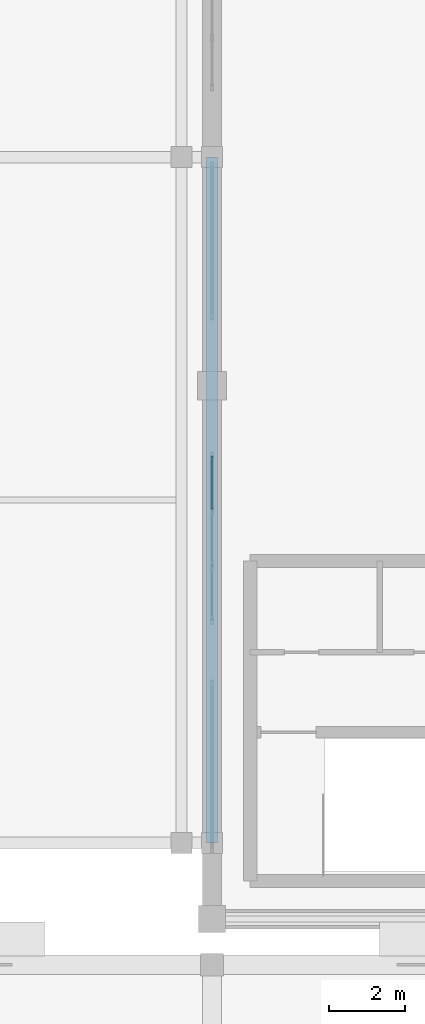
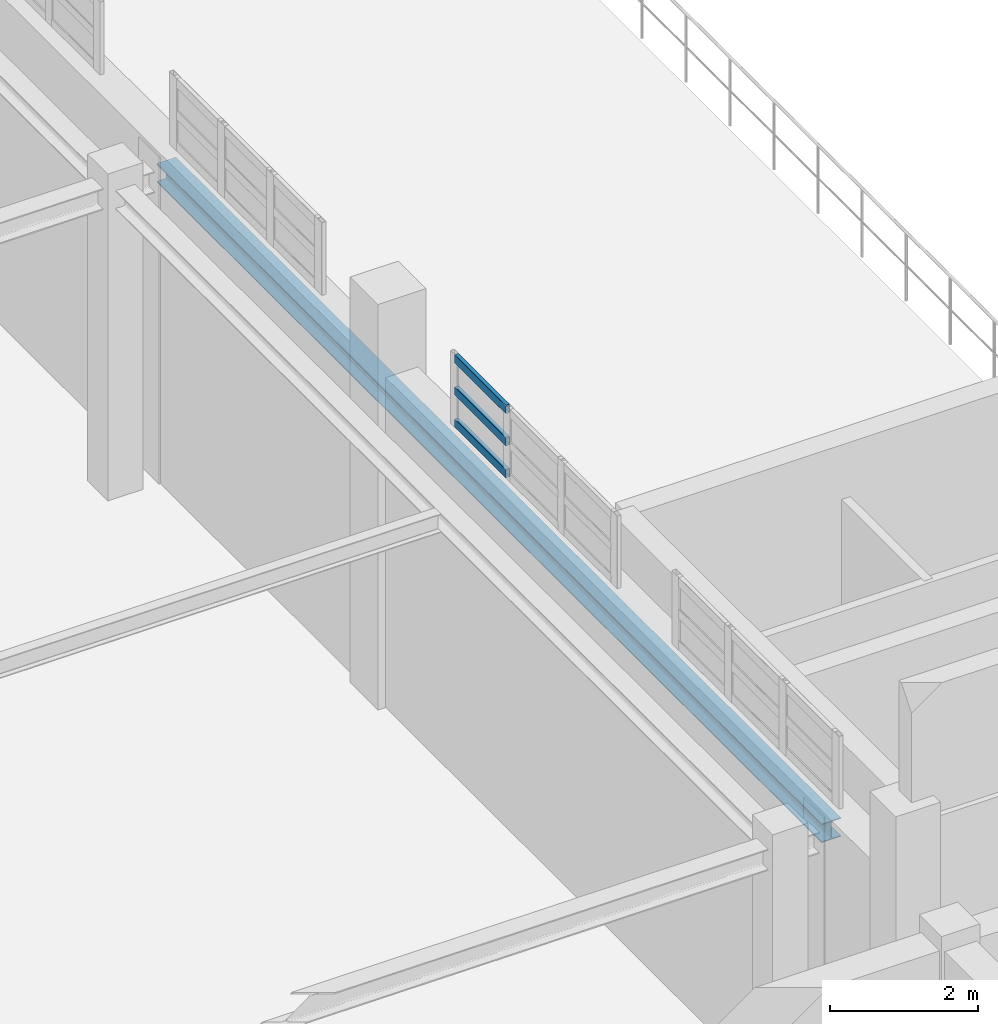
# One storey, part 98 of 197: 3 members, 1 beam, 1 element without a shape of its own.
"""IFC4 building model written with IfcOpenShell, lengths in metres."""

from ifc_helpers import new_model, si_unit, derived_unit, direction, frame, origin, origin_2d, place, context, subcontext, project, spatial, hollow_rectangle, i_section, extrude, material, layer, layer_set, material_profile, profile_set, type_object, element, aggregate, save


model = new_model("IFC4")

# Units and contexts
model_context = context("Model", 3, precision=1e-05, world=origin(), true_north=direction((0.0, 1.0)))
body_context = subcontext(model_context, "Body", "Model", "MODEL_VIEW")
ifc_project = project(units=[si_unit("LENGTHUNIT", "METRE"), si_unit("AREAUNIT", "SQUARE_METRE"), si_unit("VOLUMEUNIT", "CUBIC_METRE"), si_unit("PLANEANGLEUNIT", "RADIAN"), si_unit("MASSUNIT", "GRAM", prefix="KILO"), derived_unit("THERMALTRANSMITTANCEUNIT", [(si_unit("POWERUNIT", "WATT"), 1), (si_unit("LENGTHUNIT", "METRE"), -2), (si_unit("THERMODYNAMICTEMPERATUREUNIT", "KELVIN"), -1)])], contexts=[model_context])

# Site, building, storey
site_placement = place(None, origin())
site = spatial("IfcSite", under=ifc_project, at=site_placement, CompositionType="ELEMENT")
building_placement = place(site_placement, origin())
building = spatial("IfcBuilding", under=site, at=building_placement, Name="Almenara Railside Exhibition Hall", CompositionType="ELEMENT")
storey_placement = place(building_placement, frame((0.0, 0.0, 5.39990234375)))
storey = spatial("IfcBuildingStorey", under=building, at=storey_placement, Name="L01", CompositionType="ELEMENT", Elevation=5.39990234375)

# Curtain wall, members
ifc_material_1 = material(Name="Bronze-anodised aluminium and low-E double glazing", Category="aluminium")
ifc_layer = layer(ifc_material_1, 0.179931640625, Name="Bronze-anodised aluminium and low-E double glazing")
ifc_layer_set = layer_set([ifc_layer], Name="Bronze-anodised aluminium and low-E double glazing")
curtain_wall_type = type_object("IfcCurtainWallType", Name="East Hall Clerestory Curtain Wall 4400x2300", PredefinedType="NOTDEFINED", material=ifc_layer_set)
curtain_wall_placement = place(storey_placement, origin())
curtain_wall = element("IfcCurtainWall", 1, at=curtain_wall_placement, inside=storey, type_object=curtain_wall_type, Name="Curtain wall CW-CL3-052", PredefinedType="NOTDEFINED")
ifc_material_2 = material(Name="Bronze-anodised aluminium", Category="aluminium")
ifc_material_profile_1 = material_profile(ifc_material_2, hollow_rectangle(XDim=0.06494140625, YDim=0.139892578125, WallThickness=0.00341796875, InnerFilletRadius=0.00341796875, OuterFilletRadius=0.007080078125, at=origin_2d()), Name="ALU-TRN 65x140x3.5")
ifc_profile_set_1 = profile_set([ifc_material_profile_1], Name="Bronze-anodised aluminium")
member_type = type_object("IfcMemberType", Name="Curtain Wall Transom 65x140x3.5", PredefinedType="USERDEFINED", material=ifc_profile_set_1)
member_1_placement = place(storey_placement, frame((138.0, 44.7578125, 5.52001953125), z_axis=(0.0, 1.0, 0.0), x_axis=(-1.0, 0.0, 0.0)))
member_1 = element("IfcMember", 2, at=member_1_placement, type_object=member_type, Name="CW-CL3-052 transom 3.1", ObjectType="TRANSOM", PredefinedType="USERDEFINED", context=body_context, shape_type="SweptSolid", body=[
    extrude(hollow_rectangle(XDim=0.06494140625, YDim=0.139892578125, WallThickness=0.00341796875, InnerFilletRadius=0.00341796875, OuterFilletRadius=0.007080078125, at=origin_2d()), origin(), (0.0, 0.0, 1.0), 1.38525390625),
])
member_2_placement = place(storey_placement, frame((138.0, 44.7578125, 6.050048828125), z_axis=(0.0, 1.0, 0.0), x_axis=(-1.0, 0.0, 0.0)))
member_2 = element("IfcMember", 3, at=member_2_placement, type_object=member_type, Name="CW-CL3-052 transom 3.2", ObjectType="TRANSOM", PredefinedType="USERDEFINED", context=body_context, shape_type="SweptSolid", body=[
    extrude(hollow_rectangle(XDim=0.06494140625, YDim=0.139892578125, WallThickness=0.00341796875, InnerFilletRadius=0.00341796875, OuterFilletRadius=0.007080078125, at=origin_2d()), origin(), (0.0, 0.0, 1.0), 1.38525390625),
])
member_3_placement = place(storey_placement, frame((138.0, 44.7578125, 6.580078125), z_axis=(0.0, 1.0, 0.0), x_axis=(-1.0, 0.0, 0.0)))
member_3 = element("IfcMember", 4, at=member_3_placement, type_object=member_type, Name="CW-CL3-052 transom 3.3", ObjectType="TRANSOM", PredefinedType="USERDEFINED", context=body_context, shape_type="SweptSolid", body=[
    extrude(hollow_rectangle(XDim=0.06494140625, YDim=0.139892578125, WallThickness=0.00341796875, InnerFilletRadius=0.00341796875, OuterFilletRadius=0.007080078125, at=origin_2d()), origin(), (0.0, 0.0, 1.0), 1.38525390625),
])
aggregate(curtain_wall, [member_1, member_2, member_3])

# Beam
ifc_material_3 = material(Name="Structural steel S355JR", Category="steel")
ifc_material_profile_2 = material_profile(ifc_material_3, i_section(OverallWidth=0.300048828125, OverallDepth=0.31005859375, WebThickness=0.009033203125, FlangeThickness=0.015380859375, FilletRadius=0.027099609375, at=origin_2d()), Name="HEA 320")
ifc_profile_set_2 = profile_set([ifc_material_profile_2], Name="Structural steel S355JR")
beam_type = type_object("IfcBeamType", Name="Steel Concourse Edge Beam HEA 320 S355JR", PredefinedType="BEAM", material=ifc_profile_set_2)
beam_placement = place(storey_placement, frame((138.0, 36.0, 4.93115234375), z_axis=(0.0, 1.0, 0.0), x_axis=(-1.0, 0.0, 0.0)))
element("IfcBeam", 5, at=beam_placement, inside=storey, type_object=beam_type, Name="Beam 0822", PredefinedType="BEAM", context=body_context, shape_type="SweptSolid", body=[
    extrude(i_section(OverallWidth=0.300048828125, OverallDepth=0.31005859375, WebThickness=0.009033203125, FlangeThickness=0.015380859375, FilletRadius=0.027099609375, at=origin_2d()), origin(), (0.0, 0.0, 1.0), 18.0),
])

save(model, "model.ifc")
